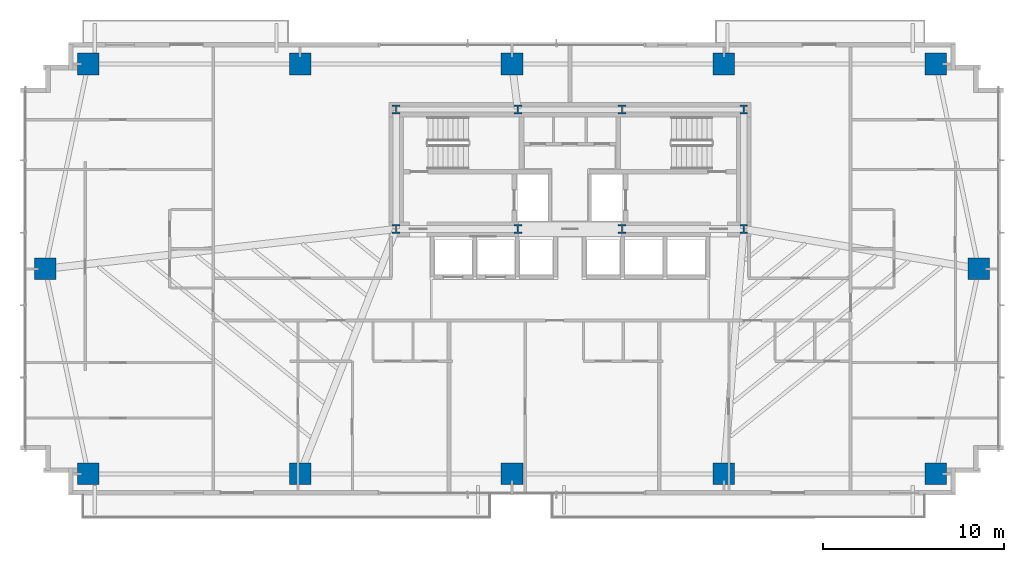
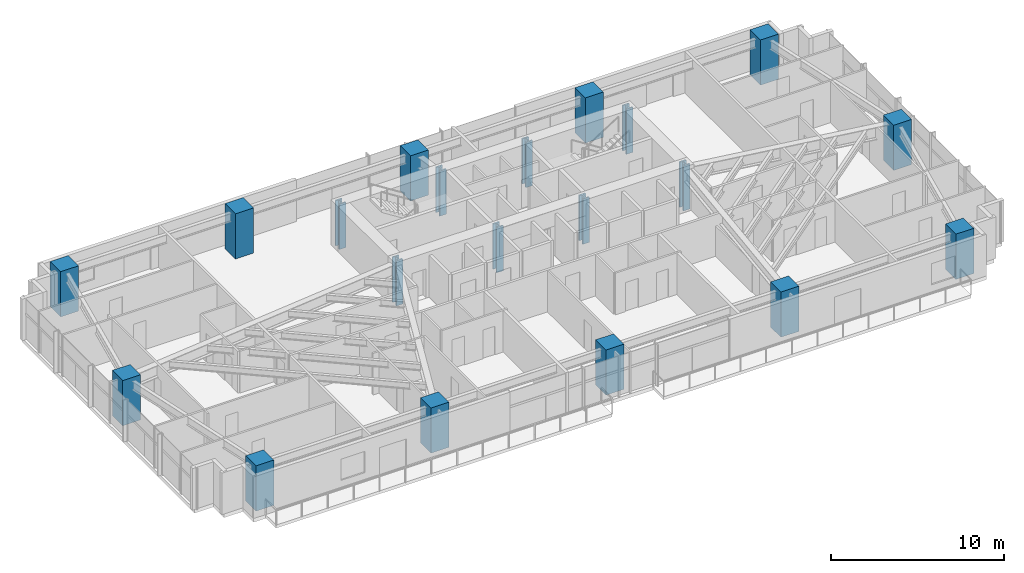
# One storey, part 1 of 25: 20 columns.
"""IFC4 building model written with IfcOpenShell, lengths in metres."""

from ifc_helpers import new_model, si_unit, direction, frame, origin, origin_2d, place, context, subcontext, project, spatial, rectangle, i_section, extrude, source, transform, mapped, material, material_profile, profile_set, type_object, type_shapes, element, save


model = new_model("IFC4")

# Units and contexts
model_context = context("Model", 3, precision=1e-05, world=origin(), true_north=direction((0.0, 1.0)))
body_context = subcontext(model_context, "Body", "Model", "MODEL_VIEW")
ifc_project = project(units=[si_unit("LENGTHUNIT", "METRE"), si_unit("AREAUNIT", "SQUARE_METRE"), si_unit("VOLUMEUNIT", "CUBIC_METRE"), si_unit("PLANEANGLEUNIT", "RADIAN"), si_unit("MASSUNIT", "GRAM", prefix="KILO")], contexts=[model_context])

# Site, building, storey
site_placement = place(None, origin())
site = spatial("IfcSite", under=ifc_project, at=site_placement, CompositionType="ELEMENT")
building_placement = place(site_placement, origin())
building = spatial("IfcBuilding", under=site, at=building_placement, Name="Astriad Promenade Condominiums", CompositionType="ELEMENT")
storey_placement = place(building_placement, frame((0.0, 0.0, 55.0)))
storey = spatial("IfcBuildingStorey", under=building, at=storey_placement, Name="L15", CompositionType="ELEMENT", Elevation=55.0)

# Columns
ifc_material_1 = material(Name="Steel ASTM A992 Grade 50", Category="steel")
ifc_material_profile_1 = material_profile(ifc_material_1, i_section(OverallWidth=0.43701171875, OverallDepth=0.51416015625, WebThickness=0.060546875, FlangeThickness=0.096923828125, FilletRadius=0.017822265625, at=origin_2d()), Name="W14X550")
ifc_profile_set_1 = profile_set([ifc_material_profile_1], Name="Steel ASTM A992 Grade 50")
column_type_1 = type_object("IfcColumnType", Name="STEEL CORE PILASTER W14X550", PredefinedType="PILASTER", material=ifc_profile_set_1)
shared_shape_1 = source(origin(), body_context, "Body", "SweptSolid", [
    extrude(i_section(OverallWidth=0.43701171875, OverallDepth=0.51416015625, WebThickness=0.060546875, FlangeThickness=0.096923828125, FilletRadius=0.017822265625, at=origin_2d()), origin(), (0.0, 0.0, 1.0), 3.196044921875),
])
type_shapes(column_type_1, [shared_shape_1])
for number, where, z_axis, x_axis, name in (
    (1, (26.39990234375, 17.39990234375, 0.001953125), (0.0, 0.0, 1.0), (1.0, 0.0, 0.0), "Core Pilaster Column CP1 (L15)"),
    (2, (33.1201171875, 17.39990234375, 0.001953125), (0.0, 0.0, 1.0), (1.0, 0.0, 0.0), "Core Pilaster Column CP2 (L15)"),
    (3, (38.8798828125, 17.39990234375, 0.001953125), (0.0, 0.0, 1.0), (1.0, 0.0, 0.0), "Core Pilaster Column CP3 (L15)"),
    (4, (45.60009765625, 17.39990234375, 0.001953125), (0.0, 0.0, 1.0), (1.0, 0.0, 0.0), "Core Pilaster Column CP4 (L15)"),
    (5, (26.39990234375, 24.0, 0.001953125), (0.0, 0.0, 1.0), (1.0, 0.0, 0.0), "Core Pilaster Column CP5 (L15)"),
    (6, (33.1201171875, 24.0, 0.001953125), (0.0, 0.0, 1.0), (1.0, 0.0, 0.0), "Core Pilaster Column CP6 (L15)"),
    (7, (38.8798828125, 24.0, 0.001953125), (0.0, 0.0, 1.0), (1.0, 0.0, 0.0), "Core Pilaster Column CP7 (L15)"),
    (8, (45.60009765625, 24.0, 0.001953125), (0.0, 0.0, 1.0), (1.0, 0.0, 0.0), "Core Pilaster Column CP8 (L15)"),
):
    element("IfcColumn", number, at=place(storey_placement, frame(where, z_axis=z_axis, x_axis=x_axis)), inside=storey, type_object=column_type_1, Name=name, PredefinedType="PILASTER", context=body_context, shape_type="MappedRepresentation", body=[
        mapped(shared_shape_1, transform((0.0, 0.0, 0.0), scale=1.0)),
    ])
ifc_material_2 = material(Name="Concrete C80/95", Category="concrete")
ifc_material_profile_2 = material_profile(ifc_material_2, rectangle(XDim=1.199951171875, YDim=1.199951171875, at=origin_2d()), Name="RC-COL-1200X1200")
ifc_profile_set_2 = profile_set([ifc_material_profile_2], Name="Concrete C80/95")
column_type_2 = type_object("IfcColumnType", Name="CONCRETE MEGA COLUMN 1200X1200", PredefinedType="COLUMN", material=ifc_profile_set_2)
shared_shape_2 = source(origin(), body_context, "Body", "SweptSolid", [
    extrude(rectangle(XDim=1.199951171875, YDim=1.199951171875, at=origin_2d()), origin(), (0.0, 0.0, 1.0), 3.196044921875),
])
type_shapes(column_type_2, [shared_shape_2])
for number, where, z_axis, x_axis, name in (
    (9, (9.39990234375, 3.8798828125, 0.001953125), (0.0, 0.0, 1.0), (1.0, 0.0, 0.0), "Perimeter Column PC01 (L15)"),
    (10, (21.10009765625, 3.8798828125, 0.001953125), (0.0, 0.0, 1.0), (1.0, 0.0, 0.0), "Perimeter Column PC02 (L15)"),
    (11, (32.800048828125, 3.8798828125, 0.001953125), (0.0, 0.0, 1.0), (1.0, 0.0, 0.0), "Perimeter Column PC03 (L15)"),
    (12, (44.5, 3.8798828125, 0.001953125), (0.0, 0.0, 1.0), (1.0, 0.0, 0.0), "Perimeter Column PC04 (L15)"),
    (13, (56.199951171875, 3.8798828125, 0.001953125), (0.0, 0.0, 1.0), (1.0, 0.0, 0.0), "Perimeter Column PC05 (L15)"),
    (14, (9.39990234375, 26.52001953125, 0.001953125), (0.0, 0.0, 1.0), (1.0, 0.0, 0.0), "Perimeter Column PC06 (L15)"),
    (15, (21.10009765625, 26.52001953125, 0.001953125), (0.0, 0.0, 1.0), (1.0, 0.0, 0.0), "Perimeter Column PC07 (L15)"),
    (16, (32.800048828125, 26.52001953125, 0.001953125), (0.0, 0.0, 1.0), (1.0, 0.0, 0.0), "Perimeter Column PC08 (L15)"),
    (17, (44.5, 26.52001953125, 0.001953125), (0.0, 0.0, 1.0), (1.0, 0.0, 0.0), "Perimeter Column PC09 (L15)"),
    (18, (56.199951171875, 26.52001953125, 0.001953125), (0.0, 0.0, 1.0), (1.0, 0.0, 0.0), "Perimeter Column PC10 (L15)"),
    (19, (7.02001953125, 15.199951171875, 0.001953125), (0.0, 0.0, 1.0), (1.0, 0.0, 0.0), "Perimeter Column PC11 (L15)"),
    (20, (58.580078125, 15.199951171875, 0.001953125), (0.0, 0.0, 1.0), (1.0, 0.0, 0.0), "Perimeter Column PC12 (L15)"),
):
    element("IfcColumn", number, at=place(storey_placement, frame(where, z_axis=z_axis, x_axis=x_axis)), inside=storey, type_object=column_type_2, Name=name, PredefinedType="COLUMN", context=body_context, shape_type="MappedRepresentation", body=[
        mapped(shared_shape_2, transform((0.0, 0.0, 0.0), scale=1.0)),
    ])

save(model, "model.ifc")
